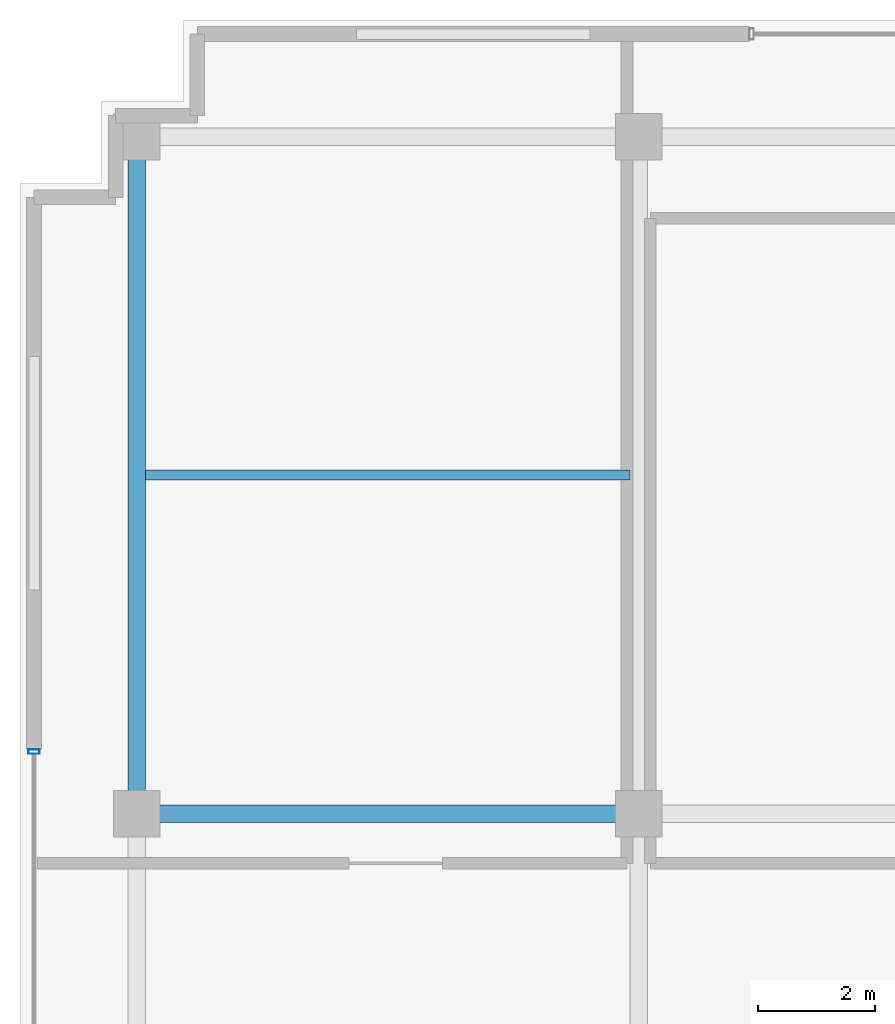
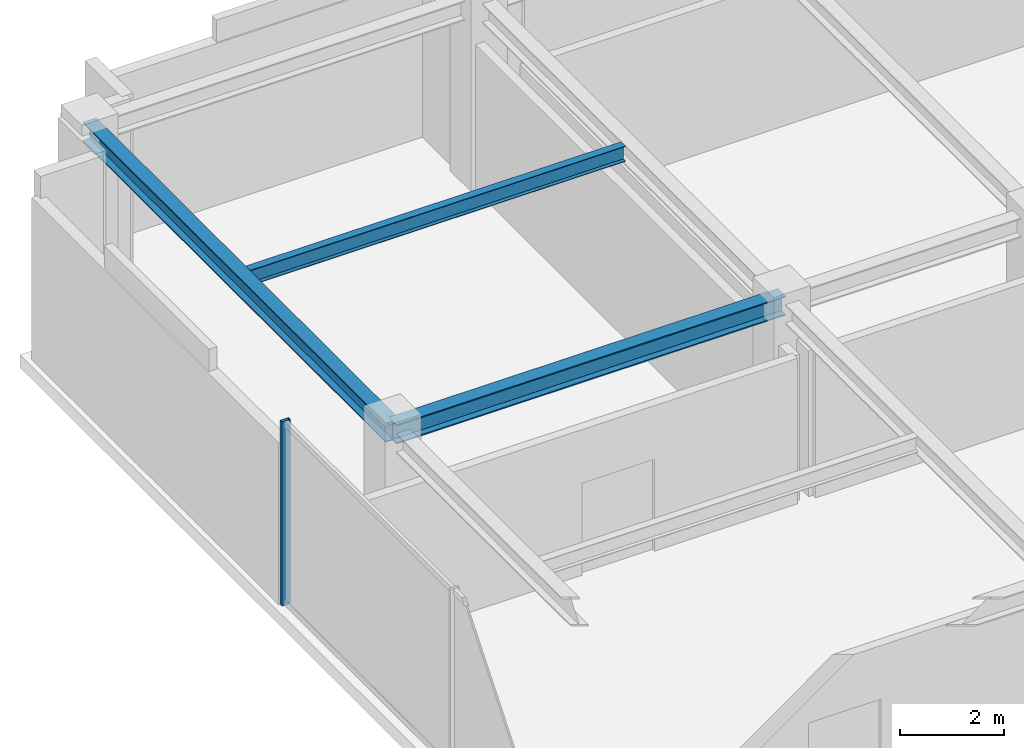
# One storey, part 8 of 18: 3 beams, 1 member, 1 element without a shape of its own.
"""IFC4 building model written with IfcOpenShell, lengths in metres."""

from ifc_helpers import new_model, si_unit, direction, frame, origin, origin_2d, place, context, subcontext, project, spatial, hollow_rectangle, i_section, extrude, source, transform, mapped, material, material_profile, profile_set, type_object, element, aggregate, save


model = new_model("IFC4")

# Units and contexts
model_context = context("Model", 3, precision=1e-05, world=origin(), true_north=direction((0.0, 1.0)))
body_context = subcontext(model_context, "Body", "Model", "MODEL_VIEW")
ifc_project = project(units=[si_unit("LENGTHUNIT", "METRE"), si_unit("AREAUNIT", "SQUARE_METRE"), si_unit("VOLUMEUNIT", "CUBIC_METRE"), si_unit("PLANEANGLEUNIT", "RADIAN"), si_unit("MASSUNIT", "GRAM", prefix="KILO")], contexts=[model_context])

# Site, building, storey
site_placement = place(None, origin())
site = spatial("IfcSite", under=ifc_project, at=site_placement, CompositionType="ELEMENT")
building_placement = place(site_placement, origin())
building = spatial("IfcBuilding", under=site, at=building_placement, Name="Nahalor Promenade Grand Hotel", CompositionType="ELEMENT")
storey_placement = place(building_placement, frame((0.0, 0.0, 361.64990234375)))
storey = spatial("IfcBuildingStorey", under=building, at=storey_placement, Name="L92", CompositionType="ELEMENT", Elevation=361.64990234375)

# Beams
ifc_material_1 = material(Name="Steel S355JR", Category="steel")
ifc_material_profile_1 = material_profile(ifc_material_1, i_section(OverallWidth=0.3, OverallDepth=0.45, WebThickness=0.014, FlangeThickness=0.026, at=origin_2d()), Name="HEB 450")
ifc_profile_set_1 = profile_set([ifc_material_profile_1], Name="Steel S355JR")
beam_type_1 = type_object("IfcBeamType", Name="Beam-Girder-HEB450", PredefinedType="BEAM", material=ifc_profile_set_1)
shared_shape_1 = source(origin(), body_context, "Body", "SweptSolid", [
    extrude(i_section(OverallWidth=0.3, OverallDepth=0.45, WebThickness=0.014, FlangeThickness=0.026, at=origin_2d()), origin(), (0.0, 0.0, 1.0), 8.60009765625),
])
beam_1_placement = place(storey_placement, frame((-17.0, 5.39990234375, 4.0751953125), z_axis=(1.0, 0.0, 0.0), x_axis=(0.0, 1.0, 0.0)))
element("IfcBeam", 1, at=beam_1_placement, inside=storey, type_object=beam_type_1, Name="BM-L92-GX-2-0", PredefinedType="BEAM", context=body_context, shape_type="MappedRepresentation", body=[
    mapped(shared_shape_1, transform((0.0, 0.0, 0.0), scale=1.0)),
])
shared_shape_2 = source(origin(), body_context, "Body", "SweptSolid", [
    extrude(i_section(OverallWidth=0.3, OverallDepth=0.45, WebThickness=0.014, FlangeThickness=0.026, at=origin_2d()), origin(), (0.0, 0.0, 1.0), 11.60009765625),
])
beam_2_placement = place(storey_placement, frame((-17.0, 5.39990234375, 4.0751953125), z_axis=(0.0, 1.0, 0.0), x_axis=(-1.0, 0.0, 0.0)))
element("IfcBeam", 2, at=beam_2_placement, inside=storey, type_object=beam_type_1, Name="BM-L92-GY-0-2", PredefinedType="BEAM", context=body_context, shape_type="MappedRepresentation", body=[
    mapped(shared_shape_2, transform((0.0, 0.0, 0.0), scale=1.0)),
])
ifc_material_profile_2 = material_profile(ifc_material_1, i_section(OverallWidth=0.17, OverallDepth=0.36, WebThickness=0.008, FlangeThickness=0.0127, at=origin_2d()), Name="IPE 360")
ifc_profile_set_2 = profile_set([ifc_material_profile_2], Name="Steel S355JR")
beam_type_2 = type_object("IfcBeamType", Name="Beam-Joist-IPE360", PredefinedType="JOIST", material=ifc_profile_set_2)
shared_shape_3 = source(origin(), body_context, "Body", "SweptSolid", [
    extrude(i_section(OverallWidth=0.17, OverallDepth=0.36, WebThickness=0.008, FlangeThickness=0.0127, at=origin_2d()), origin(), (0.0, 0.0, 1.0), 8.300048828125),
])
beam_3_placement = place(storey_placement, frame((-16.85009765625, 11.199951171875, 4.1201171875), z_axis=(1.0, 0.0, 0.0), x_axis=(0.0, 1.0, 0.0)))
element("IfcBeam", 3, at=beam_3_placement, inside=storey, type_object=beam_type_2, Name="BM-L92-JSW-1-1", PredefinedType="JOIST", context=body_context, shape_type="MappedRepresentation", body=[
    mapped(shared_shape_3, transform((0.0, 0.0, 0.0), scale=1.0)),
])

# Curtain wall, member
ifc_material_2 = material(Name="Anodised Bronze Aluminium EN AW-6063 T6", Category="aluminium")
curtain_wall_type = type_object("IfcCurtainWallType", Name="CW6 Crown Botanical Conservatory Curtain Wall", PredefinedType="USERDEFINED", material=ifc_material_2)
curtain_wall_placement = place(storey_placement, origin())
curtain_wall = element("IfcCurtainWall", 4, at=curtain_wall_placement, inside=storey, type_object=curtain_wall_type, Name="L92 Curtain Wall CW-L92-W", ObjectType="UNITISED_CURTAIN_WALL", PredefinedType="USERDEFINED")
ifc_material_profile_3 = material_profile(ifc_material_2, hollow_rectangle(XDim=0.075, YDim=0.19, WallThickness=0.005, at=origin_2d()), Name="CWM 75x190x5")
ifc_profile_set_3 = profile_set([ifc_material_profile_3], Name="Anodised Bronze Aluminium EN AW-6063 T6")
member_type = type_object("IfcMemberType", Name="CWM6 Conservatory Bronze Mullion 75x190", PredefinedType="MULLION", material=ifc_profile_set_3)
shared_shape_4 = source(origin(), body_context, "Body", "SweptSolid", [
    extrude(hollow_rectangle(XDim=0.075, YDim=0.19, WallThickness=0.005, at=origin_2d()), origin(), (0.0, 0.0, 1.0), 4.300048828125),
])
member_placement = place(storey_placement, frame((-18.760009765625, 6.46240234375, 0.0), z_axis=(0.0, 0.0, 1.0), x_axis=(0.0, 1.0, 0.0)))
member = element("IfcMember", 5, at=member_placement, type_object=member_type, Name="CW-L92-W Mullion 2", PredefinedType="MULLION", context=body_context, shape_type="MappedRepresentation", body=[
    mapped(shared_shape_4, transform((0.0, 0.0, 0.0), scale=1.0)),
])
aggregate(curtain_wall, [member])

save(model, "model.ifc")
